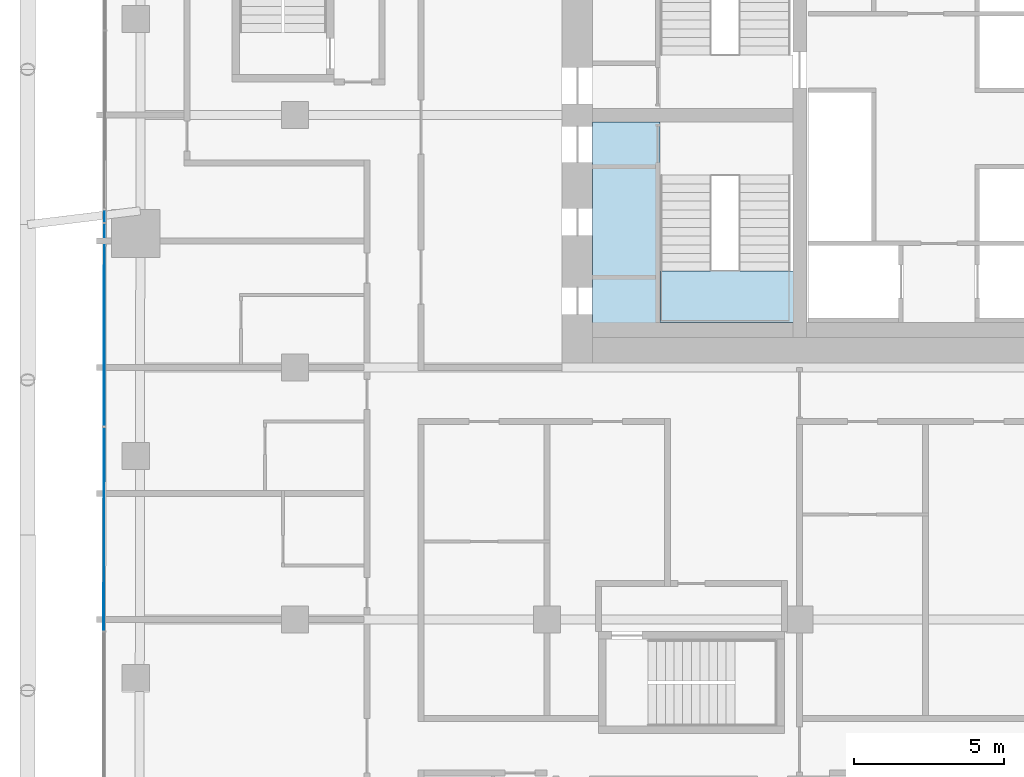
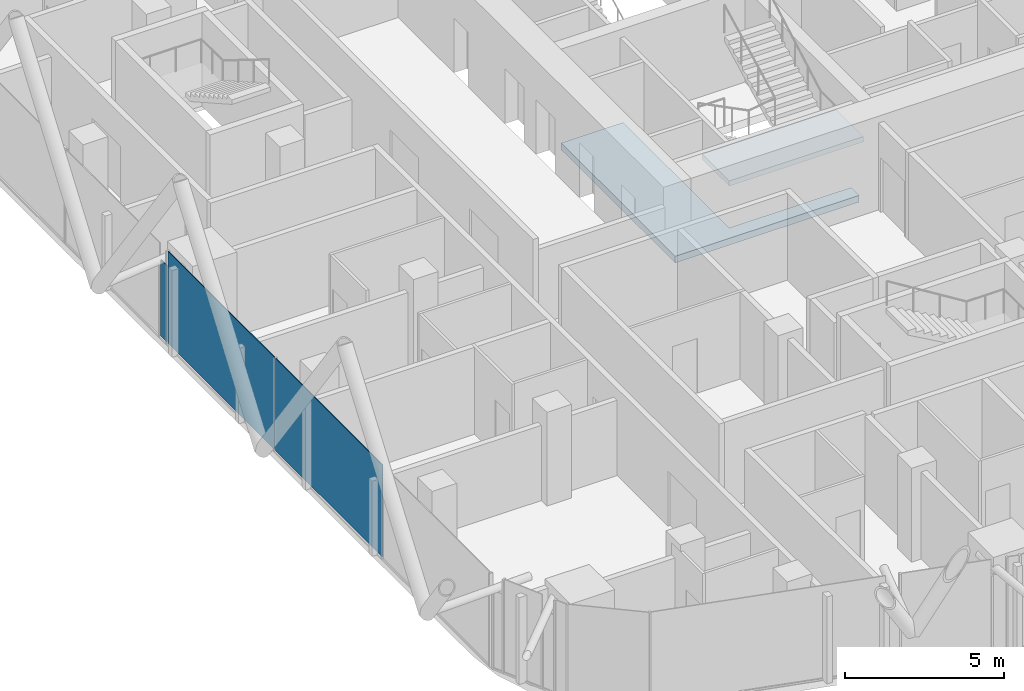
# One storey, part 20 of 36: 3 plates, 2 slabs, 3 elements without a shape of their own.
"""IFC4 building model written with IfcOpenShell, lengths in metres."""

from ifc_helpers import new_model, si_unit, direction, frame, origin, origin_2d, place, context, subcontext, project, spatial, polyline, rectangle, outline, extrude, material, layer, layer_set, type_object, element, aggregate, save


model = new_model("IFC4")

# Units and contexts
model_context = context("Model", 3, precision=1e-05, world=origin(), true_north=direction((0.0, 1.0)))
body_context = subcontext(model_context, "Body", "Model", "MODEL_VIEW")
ifc_project = project(units=[si_unit("LENGTHUNIT", "METRE"), si_unit("AREAUNIT", "SQUARE_METRE"), si_unit("VOLUMEUNIT", "CUBIC_METRE"), si_unit("PLANEANGLEUNIT", "RADIAN"), si_unit("MASSUNIT", "GRAM", prefix="KILO")], contexts=[model_context])

# Site, building, storey
site_placement = place(None, origin())
site = spatial("IfcSite", under=ifc_project, at=site_placement, CompositionType="ELEMENT")
building_placement = place(site_placement, origin())
building = spatial("IfcBuilding", under=site, at=building_placement, Name="Marenta Gate Hotel Tower", CompositionType="ELEMENT")
storey_placement = place(building_placement, frame((0.0, 0.0, 115.699951171875)))
storey = spatial("IfcBuildingStorey", under=building, at=storey_placement, Name="L25", CompositionType="ELEMENT", Elevation=115.699951171875)

# Slab
ifc_material_1 = material(Name="Concrete C40", Category="concrete")
ifc_layer_1 = layer(ifc_material_1, 0.260009765625)
ifc_layer_set_1 = layer_set([ifc_layer_1], Name="Concrete C40")
slab_type_1 = type_object("IfcSlabType", Name="Core floor slab 260", PredefinedType="FLOOR", material=ifc_layer_set_1)
slab_1_placement = place(storey_placement, frame((0.0, 0.0, -0.260009765625)))
element("IfcSlab", 1, at=slab_1_placement, inside=storey, type_object=slab_type_1, Name="L25-CF-5", PredefinedType="FLOOR", context=body_context, shape_type="SweptSolid", body=[
    extrude(outline(polyline([(-8.85009765625, 8.175048828125), (-8.85009765625, 8.10009765625), (-8.85009765625, 6.39990234375), (-8.85009765625, 1.5), (-4.425048828125, 1.5), (-4.425048828125, 1.0), (-11.10009765625, 1.0), (-11.10009765625, 8.175048828125), (-8.85009765625, 8.175048828125)])), origin(), (0.0, 0.0, 1.0), 0.260009765625),
])

# Stair, slab
ifc_material_2 = material(Name="Concrete C40", Category="concrete")
stair_type = type_object("IfcStairType", Name="Core exit stair 1700 wide", PredefinedType="HALF_TURN_STAIR", material=ifc_material_2)
stair_placement = place(storey_placement, origin())
stair = element("IfcStair", 2, at=stair_placement, inside=storey, type_object=stair_type, Name="Exit stair 1", PredefinedType="HALF_TURN_STAIR")
ifc_material_3 = material(Name="Concrete C40", Category="concrete")
ifc_layer_2 = layer(ifc_material_3, 0.199951171875)
ifc_layer_set_2 = layer_set([ifc_layer_2], Name="Concrete C40")
slab_type_2 = type_object("IfcSlabType", Name="Core stair landing 200", PredefinedType="LANDING", material=ifc_layer_set_2)
slab_2_placement = place(storey_placement, frame((0.0, 0.0, 1.60009765625)))
slab_2 = element("IfcSlab", 3, at=slab_2_placement, type_object=slab_type_2, Name="SL-200 ST1 landing 1", PredefinedType="LANDING", context=body_context, shape_type="SweptSolid", body=[
    extrude(outline(polyline([(-8.85009765625, 1.5), (-3.97509765625, 1.5), (-3.97509765625, 3.2099609375), (-8.85009765625, 3.2099609375), (-8.85009765625, 1.5)])), origin(), (0.0, 0.0, 1.0), 0.199951171875),
])
aggregate(stair, [slab_2])

# Curtain wall, plate
ifc_material_4 = material(Name="Tinted insulated glass in bronze anodised frame", Category="glass")
ifc_layer_3 = layer(ifc_material_4, 0.1201171875)
ifc_layer_set_3 = layer_set([ifc_layer_3], Name="Tinted insulated glass in bronze anodised frame")
curtain_wall_type = type_object("IfcCurtainWallType", Name="Tower unitised curtain wall CW1", PredefinedType="NOTDEFINED", material=ifc_layer_set_3)
curtain_wall_1_placement = place(storey_placement, origin())
curtain_wall_1 = element("IfcCurtainWall", 4, at=curtain_wall_1_placement, inside=storey, type_object=curtain_wall_type, Name="CW1 run G07", PredefinedType="NOTDEFINED")
ifc_material_5 = material(Name="Tinted insulated glass", Category="glass")
ifc_layer_4 = layer(ifc_material_5, 0.028076171875)
ifc_layer_set_4 = layer_set([ifc_layer_4], Name="Tinted insulated glass")
plate_type = type_object("IfcPlateType", Name="Glass panel CW1 28 mm tinted insulated unit", PredefinedType="CURTAIN_PANEL", material=ifc_layer_set_4)
plate_1_placement = place(storey_placement, frame((-27.340576171875, 5.03369140625, 0.06005859375), z_axis=(0.0, 0.0, 1.0), x_axis=(-0.001533404542, -0.999998824335, 0.0)))
plate_1 = element("IfcPlate", 5, at=plate_1_placement, type_object=plate_type, Name="CW1 panel 1.1", PredefinedType="CURTAIN_PANEL", context=body_context, shape_type="SweptSolid", body=[
    extrude(rectangle(XDim=0.396484375, YDim=0.028076171875, at=origin_2d()), origin(), (0.0, 0.0, 1.0), 2.9404296875),
])
aggregate(curtain_wall_1, [plate_1])

# Curtain wall, plates
curtain_wall_2_placement = place(storey_placement, origin())
curtain_wall_2 = element("IfcCurtainWall", 6, at=curtain_wall_2_placement, inside=storey, type_object=curtain_wall_type, Name="CW1 run G08", PredefinedType="NOTDEFINED")
plate_2_placement = place(storey_placement, frame((-27.34619140625, 1.412353515625, 0.06005859375), z_axis=(0.0, 0.0, 1.0), x_axis=(-0.001564882094, -0.999998775571, 0.0)))
plate_2 = element("IfcPlate", 7, at=plate_2_placement, type_object=plate_type, Name="CW1 panel 1.1", PredefinedType="CURTAIN_PANEL", context=body_context, shape_type="SweptSolid", body=[
    extrude(rectangle(XDim=6.726318359375, YDim=0.028076171875, at=origin_2d()), origin(), (0.0, 0.0, 1.0), 3.5400390625),
])
plate_3_placement = place(storey_placement, frame((-27.35693359375, -5.388916015625, 0.06005859375), z_axis=(0.0, 0.0, 1.0), x_axis=(-0.001564882094, -0.999998775571, 0.0)))
plate_3 = element("IfcPlate", 8, at=plate_3_placement, type_object=plate_type, Name="CW1 panel 2.1", PredefinedType="CURTAIN_PANEL", context=body_context, shape_type="SweptSolid", body=[
    extrude(rectangle(XDim=6.75634765625, YDim=0.028076171875, at=origin_2d()), origin(), (0.0, 0.0, 1.0), 3.5400390625),
])
aggregate(curtain_wall_2, [plate_2, plate_3])

save(model, "model.ifc")
